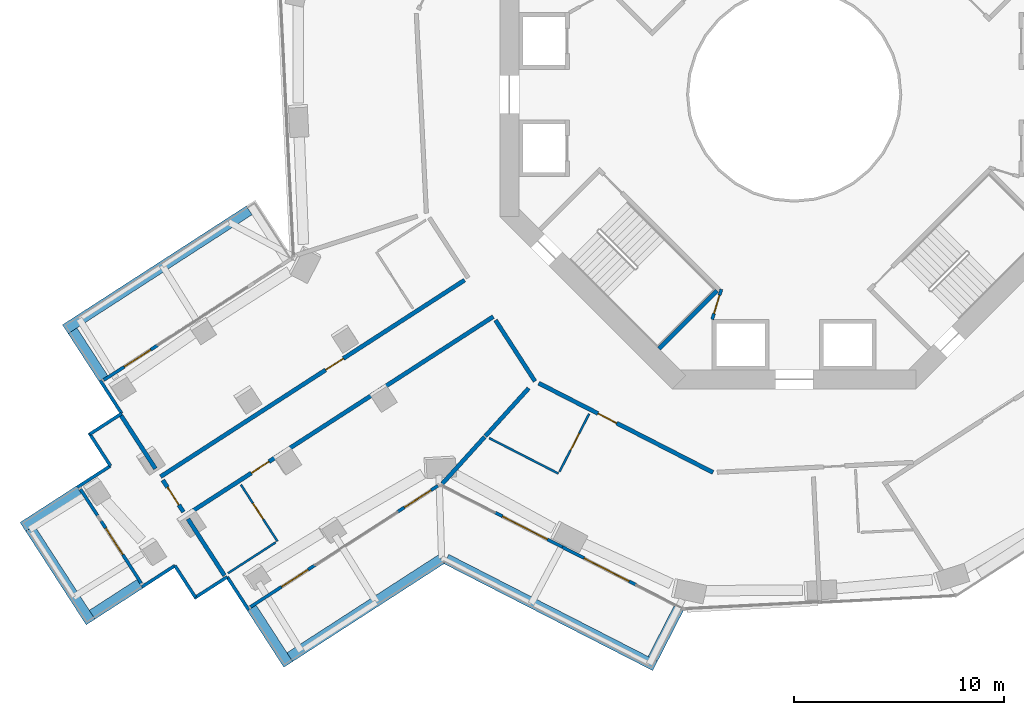
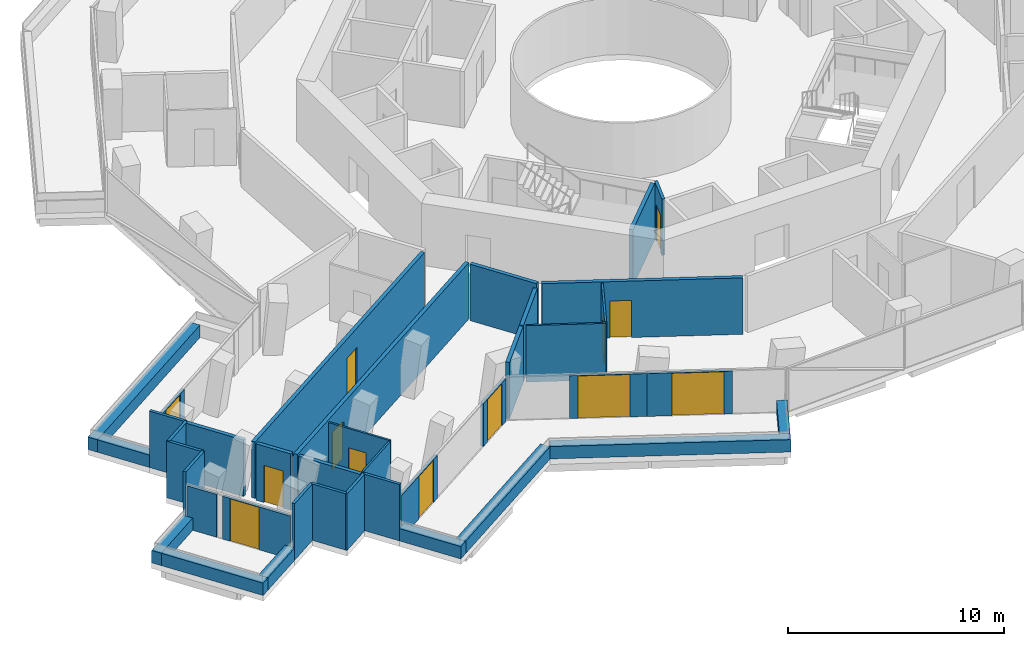
# One storey, part 17 of 25: 39 walls, 13 doors, 13 openings.
"""IFC4 building model written with IfcOpenShell, lengths in metres."""

from ifc_helpers import new_model, si_unit, direction, frame, frame_2d, origin, place, context, subcontext, project, spatial, rectangle, extrude, material, layer, layer_set, type_object, element, fill, save


model = new_model("IFC4")

# Units and contexts
model_context = context("Model", 3, precision=1e-05, world=origin(), true_north=direction((0.0, 1.0)))
body_context = subcontext(model_context, "Body", "Model", "MODEL_VIEW")
ifc_project = project(units=[si_unit("LENGTHUNIT", "METRE"), si_unit("AREAUNIT", "SQUARE_METRE"), si_unit("VOLUMEUNIT", "CUBIC_METRE"), si_unit("PLANEANGLEUNIT", "RADIAN"), si_unit("MASSUNIT", "GRAM", prefix="KILO")], contexts=[model_context])

# Site, building, storey
site_placement = place(None, origin())
site = spatial("IfcSite", under=ifc_project, at=site_placement, CompositionType="ELEMENT")
building_placement = place(site_placement, origin())
building = spatial("IfcBuilding", under=site, at=building_placement, Name="Verdalira Terraces Hotel", CompositionType="ELEMENT")
storey_placement = place(building_placement, frame((0.0, 0.0, 46.0)))
storey = spatial("IfcBuildingStorey", under=building, at=storey_placement, Name="L09", CompositionType="ELEMENT", Elevation=46.0)

# Walls
ifc_material_1 = material(Name="Concrete C40", Category="concrete")
ifc_layer_1 = layer(ifc_material_1, 0.5)
ifc_layer_set_1 = layer_set([ifc_layer_1], Name="Balcony planter trough with tree")
wall_type_1 = type_object("IfcWallType", Name="Balcony planter trough with tree", PredefinedType="SOLIDWALL", material=ifc_layer_set_1)
wall_1_placement = place(storey_placement, frame((-25.922607, -5.504639, 0.0), z_axis=(0.0, 0.0, 1.0), x_axis=(-0.839807058, -0.542884983, 0.0)))
element("IfcWall", 1, at=wall_1_placement, inside=storey, type_object=wall_type_1, Name="Balcony planter", PredefinedType="SOLIDWALL", context=body_context, shape_type="SweptSolid", body=[
    extrude(rectangle(XDim=10.420166, YDim=0.5, at=frame_2d((5.209961, 0.0))), origin(), (0.0, 0.0, 1.0), 0.699951),
])
wall_2_placement = place(storey_placement, frame((-34.327881, -11.23584, 0.0), z_axis=(0.0, 0.0, 1.0), x_axis=(0.542913681, -0.839788506, 0.0)))
element("IfcWall", 2, at=wall_2_placement, inside=storey, type_object=wall_type_1, Name="Balcony planter", PredefinedType="SOLIDWALL", context=body_context, shape_type="SweptSolid", body=[
    extrude(rectangle(XDim=2.698975, YDim=0.5, at=frame_2d((1.349609, 0.0))), origin(), (0.0, 0.0, 1.0), 0.699951),
])
wall_3_placement = place(storey_placement, frame((-34.006104, -18.827148, 0.0), z_axis=(0.0, 0.0, 1.0), x_axis=(-0.839787127, -0.542915814, 0.0)))
element("IfcWall", 3, at=wall_3_placement, inside=storey, type_object=wall_type_1, Name="Balcony planter", PredefinedType="SOLIDWALL", context=body_context, shape_type="SweptSolid", body=[
    extrude(rectangle(XDim=3.198975, YDim=0.5, at=frame_2d((1.599609, 0.0))), origin(), (0.0, 0.0, 1.0), 0.699951),
])
wall_4_placement = place(storey_placement, frame((-36.346924, -20.638184, 0.0), z_axis=(0.0, 0.0, 1.0), x_axis=(0.542876861, -0.839812309, 0.0)))
element("IfcWall", 4, at=wall_4_placement, inside=storey, type_object=wall_type_1, Name="Balcony planter", PredefinedType="SOLIDWALL", context=body_context, shape_type="SweptSolid", body=[
    extrude(rectangle(XDim=5.299805, YDim=0.5, at=frame_2d((2.649902, 0.0))), origin(), (0.0, 0.0, 1.0), 0.699951),
])
wall_5_placement = place(storey_placement, frame((-33.395508, -24.743408, 0.0), z_axis=(0.0, 0.0, 1.0), x_axis=(0.839815165, 0.542872442, 0.0)))
element("IfcWall", 5, at=wall_5_placement, inside=storey, type_object=wall_type_1, Name="Balcony planter", PredefinedType="SOLIDWALL", context=body_context, shape_type="SweptSolid", body=[
    extrude(rectangle(XDim=2.699219, YDim=0.5, at=frame_2d((1.349609, 0.0))), origin(), (0.0, 0.0, 1.0), 0.699951),
])
wall_6_placement = place(storey_placement, frame((-25.803955, -24.421631, 0.0), z_axis=(0.0, 0.0, 1.0), x_axis=(0.542861989, -0.839821922, 0.0)))
element("IfcWall", 6, at=wall_6_placement, inside=storey, type_object=wall_type_1, Name="Balcony planter", PredefinedType="SOLIDWALL", context=body_context, shape_type="SweptSolid", body=[
    extrude(rectangle(XDim=3.198975, YDim=0.5, at=frame_2d((1.599609, 0.0))), origin(), (0.0, 0.0, 1.0), 0.699951),
])
wall_7_placement = place(storey_placement, frame((-23.993164, -26.762451, 0.0), z_axis=(0.0, 0.0, 1.0), x_axis=(0.839818393, 0.542867449, 0.0)))
element("IfcWall", 7, at=wall_7_placement, inside=storey, type_object=wall_type_1, Name="Balcony planter", PredefinedType="SOLIDWALL", context=body_context, shape_type="SweptSolid", body=[
    extrude(rectangle(XDim=8.572754, YDim=0.5, at=frame_2d((4.286377, 0.0))), origin(), (0.0, 0.0, 1.0), 0.699951),
])
wall_8_placement = place(storey_placement, frame((-16.543945, -22.095947, 0.0), z_axis=(0.0, 0.0, 1.0), x_axis=(0.890050731, -0.455861489, 0.0)))
element("IfcWall", 8, at=wall_8_placement, inside=storey, type_object=wall_type_1, Name="Balcony planter", PredefinedType="SOLIDWALL", context=body_context, shape_type="SweptSolid", body=[
    extrude(rectangle(XDim=11.152588, YDim=0.5, at=frame_2d((5.576172, 0.0))), origin(), (0.0, 0.0, 1.0), 0.699951),
])
wall_9_placement = place(storey_placement, frame((-6.726318, -26.843506, 0.0), z_axis=(0.0, 0.0, 1.0), x_axis=(0.45587587, 0.890043365, 0.0)))
element("IfcWall", 9, at=wall_9_placement, inside=storey, type_object=wall_type_1, Name="Balcony planter", PredefinedType="SOLIDWALL", context=body_context, shape_type="SweptSolid", body=[
    extrude(rectangle(XDim=2.699219, YDim=0.5, at=frame_2d((1.349609, 0.0))), origin(), (0.0, 0.0, 1.0), 0.699951),
])
ifc_material_2 = material(Name="Moisture-resistant gypsum board partition")
ifc_layer_2 = layer(ifc_material_2, 0.10009765625)
ifc_layer_set_2 = layer_set([ifc_layer_2], Name="Bathroom partition 100 mm")
wall_type_2 = type_object("IfcWallType", Name="Bathroom partition 100 mm", PredefinedType="PARTITIONING", material=ifc_layer_set_2)
wall_10_placement = place(storey_placement, frame((-24.664795, -21.30249, 0.0), z_axis=(0.0, 0.0, 1.0), x_axis=(-0.839812661, -0.542876316, 0.0)))
element("IfcWall", 10, at=wall_10_placement, inside=storey, type_object=wall_type_2, Name="Bathroom partition", PredefinedType="PARTITIONING", context=body_context, shape_type="SweptSolid", body=[
    extrude(rectangle(XDim=2.700195, YDim=0.100098, at=frame_2d((1.350098, 0.0))), origin(), (0.0, 0.0, 1.0), 3.189941),
])

# Wall, opening, door
wall_11_placement = place(storey_placement, frame((-24.580811, -21.248291, 0.0), z_axis=(0.0, 0.0, 1.0), x_axis=(-0.542884287, 0.839807508, 0.0)))
wall_11 = element("IfcWall", 11, at=wall_11_placement, inside=storey, type_object=wall_type_2, Name="Bathroom partition", PredefinedType="PARTITIONING", context=body_context, shape_type="SweptSolid", body=[
    extrude(rectangle(XDim=3.200195, YDim=0.100098, at=frame_2d((1.600098, 0.0))), origin(), (0.0, 0.0, 1.0), 3.189941),
])
opening_1_placement = place(wall_11_placement, frame((1.25, 0.0, 0.0)))
opening_1 = element("IfcOpeningElement", 12, at=opening_1_placement, cuts=wall_11, Name="Opening L09-116", PredefinedType="OPENING", context=body_context, shape_type="SweptSolid", body=[
    extrude(rectangle(XDim=0.899902, YDim=2.100098, at=frame_2d((0.449951, 1.050049))), frame((0.0, 0.060059, 0.0), z_axis=(0.0, -1.0, 0.0), x_axis=(1.0, 0.0, 0.0)), (0.0, 0.0, 1.0), 0.120117),
])
ifc_material_3 = material(Name="Timber door", Category="wood")
door_type_1 = type_object("IfcDoorType", Name="Bathroom door 900 x 2100", OperationType="NOTDEFINED", PredefinedType="DOOR", material=ifc_material_3)
door_1_placement = place(opening_1_placement, origin())
door_1 = element("IfcDoor", 13, at=door_1_placement, inside=storey, type_object=door_type_1, Name="Bathroom door 0908", OperationType="SINGLE_SWING_LEFT", OverallHeight=2.10009765625, OverallWidth=0.89990234375, PredefinedType="DOOR", context=body_context, shape_type="SweptSolid", body=[
    extrude(rectangle(XDim=0.899902, YDim=2.100098, at=frame_2d((0.449951, 1.050049))), frame((0.0, 0.024902, 0.0), z_axis=(0.0, -1.0, 0.0), x_axis=(1.0, 0.0, 0.0)), (0.0, 0.0, 1.0), 0.050049),
])
fill(opening_1, door_1)

# Wall
wall_12_placement = place(storey_placement, frame((-11.210205, -18.030518, 0.0), z_axis=(0.0, 0.0, 1.0), x_axis=(-0.890047931, 0.455866955, 0.0)))
element("IfcWall", 14, at=wall_12_placement, inside=storey, type_object=wall_type_2, Name="Bathroom partition", PredefinedType="PARTITIONING", context=body_context, shape_type="SweptSolid", body=[
    extrude(rectangle(XDim=3.703857, YDim=0.100098, at=frame_2d((1.852051, 0.0))), origin(), (0.0, 0.0, 1.0), 3.189941),
])

# Wall, opening, door
wall_13_placement = place(storey_placement, frame((-11.164551, -17.941406, 0.0), z_axis=(0.0, 0.0, 1.0), x_axis=(0.455856087, 0.890053497, 0.0)))
wall_13 = element("IfcWall", 15, at=wall_13_placement, inside=storey, type_object=wall_type_2, Name="Bathroom partition", PredefinedType="PARTITIONING", context=body_context, shape_type="SweptSolid", body=[
    extrude(rectangle(XDim=3.099854, YDim=0.100098, at=frame_2d((1.549805, 0.0))), origin(), (0.0, 0.0, 1.0), 3.189941),
])
opening_2_placement = place(wall_13_placement, frame((1.149902, 0.0, 0.0)))
opening_2 = element("IfcOpeningElement", 16, at=opening_2_placement, cuts=wall_13, Name="Opening L09-118", PredefinedType="OPENING", context=body_context, shape_type="SweptSolid", body=[
    extrude(rectangle(XDim=0.899902, YDim=2.100098, at=frame_2d((0.449951, 1.050049))), frame((0.0, 0.060059, 0.0), z_axis=(0.0, -1.0, 0.0), x_axis=(1.0, 0.0, 0.0)), (0.0, 0.0, 1.0), 0.120117),
])
door_2_placement = place(opening_2_placement, origin())
door_2 = element("IfcDoor", 17, at=door_2_placement, inside=storey, type_object=door_type_1, Name="Bathroom door 0909", OperationType="SINGLE_SWING_LEFT", OverallHeight=2.10009765625, OverallWidth=0.89990234375, PredefinedType="DOOR", context=body_context, shape_type="SweptSolid", body=[
    extrude(rectangle(XDim=0.899902, YDim=2.100098, at=frame_2d((0.449951, 1.050049))), frame((0.0, 0.024902, 0.0), z_axis=(0.0, -1.0, 0.0), x_axis=(1.0, 0.0, 0.0)), (0.0, 0.0, 1.0), 0.050049),
])
fill(opening_2, door_2)

# Wall
ifc_material_4 = material(Name="Concrete C50", Category="concrete")
ifc_layer_3 = layer(ifc_material_4, 0.199951171875)
ifc_layer_set_3 = layer_set([ifc_layer_3], Name="Core RC wall 200 C50")
wall_type_3 = type_object("IfcWallType", Name="Core RC wall 200 C50", PredefinedType="SOLIDWALL", material=ifc_layer_set_3)
wall_14_placement = place(storey_placement, frame((-3.677002, -9.33374, 0.0), z_axis=(0.0, 0.0, 1.0), x_axis=(-0.707106781, -0.707106781, 0.0)))
element("IfcWall", 18, at=wall_14_placement, inside=storey, type_object=wall_type_3, Name="L09 stair ST2 end wall 2", PredefinedType="SOLIDWALL", context=body_context, shape_type="SweptSolid", body=[
    extrude(rectangle(XDim=3.900146, YDim=0.199951, at=frame_2d((1.950195, 0.0))), origin(), (0.0, 0.0, 1.0), 3.189941),
])

# Wall, opening, door
ifc_material_5 = material(Name="Gypsum board partition")
ifc_layer_4 = layer(ifc_material_5, 0.14990234375)
ifc_layer_set_4 = layer_set([ifc_layer_4], Name="Core partition 150 mm")
wall_type_4 = type_object("IfcWallType", Name="Core partition 150 mm", PredefinedType="PARTITIONING", material=ifc_layer_set_4)
wall_15_placement = place(storey_placement, frame((-3.464844, -9.263184, 0.0), z_axis=(0.0, 0.0, 1.0), x_axis=(-0.289808785, -0.957084567, 0.0)))
wall_15 = element("IfcWall", 19, at=wall_15_placement, inside=storey, type_object=wall_type_4, Name="Room partition L09", PredefinedType="PARTITIONING", context=body_context, shape_type="SweptSolid", body=[
    extrude(rectangle(XDim=1.501221, YDim=0.149902, at=frame_2d((0.750488, 0.0))), origin(), (0.0, 0.0, 1.0), 3.189941),
])
opening_3_placement = place(wall_15_placement, frame((0.300781, 0.0, 0.0)))
opening_3 = element("IfcOpeningElement", 20, at=opening_3_placement, cuts=wall_15, Name="Opening L09-823", PredefinedType="OPENING", context=body_context, shape_type="SweptSolid", body=[
    extrude(rectangle(XDim=0.899902, YDim=2.100098, at=frame_2d((0.449951, 1.050049))), frame((0.0, 0.084961, 0.0), z_axis=(0.0, -1.0, 0.0), x_axis=(1.0, 0.0, 0.0)), (0.0, 0.0, 1.0), 0.169922),
])
ifc_material_6 = material(Name="Steel fire door", Category="steel")
door_type_2 = type_object("IfcDoorType", Name="Core room door 900 x 2100", OperationType="NOTDEFINED", PredefinedType="DOOR", material=ifc_material_6)
door_3_placement = place(opening_3_placement, origin())
door_3 = element("IfcDoor", 21, at=door_3_placement, inside=storey, type_object=door_type_2, Name="Door L09 room5", OperationType="SINGLE_SWING_LEFT", OverallHeight=2.10009765625, OverallWidth=0.89990234375, PredefinedType="DOOR", context=body_context, shape_type="SweptSolid", body=[
    extrude(rectangle(XDim=0.899902, YDim=2.100098, at=frame_2d((0.449951, 1.050049))), frame((0.0, 0.024902, 0.0), z_axis=(0.0, -1.0, 0.0), x_axis=(1.0, 0.0, 0.0)), (0.0, 0.0, 1.0), 0.050049),
])
fill(opening_3, door_3)

# Walls
ifc_material_7 = material(Name="Fire-rated gypsum board wall")
ifc_layer_5 = layer(ifc_material_7, 0.199951171875)
ifc_layer_set_5 = layer_set([ifc_layer_5], Name="Demising wall 200 mm")
wall_type_5 = type_object("IfcWallType", Name="Demising wall 200 mm", PredefinedType="SOLIDWALL", material=ifc_layer_set_5)
wall_16_placement = place(storey_placement, frame((-32.013428, -15.276611, 0.0), z_axis=(0.0, 0.0, 1.0), x_axis=(0.54288039, -0.839810027, 0.0)))
element("IfcWall", 22, at=wall_16_placement, inside=storey, type_object=wall_type_5, Name="Demising wall", PredefinedType="SOLIDWALL", context=body_context, shape_type="SweptSolid", body=[
    extrude(rectangle(XDim=3.002686, YDim=0.199951, at=frame_2d((1.501465, 0.0))), origin(), (0.0, 0.0, 1.0), 3.189941),
])
wall_17_placement = place(storey_placement, frame((-28.838623, -20.187744, 0.0), z_axis=(0.0, 0.0, 1.0), x_axis=(0.542881592, -0.83980925, 0.0)))
element("IfcWall", 23, at=wall_17_placement, inside=storey, type_object=wall_type_5, Name="Demising wall", PredefinedType="SOLIDWALL", context=body_context, shape_type="SweptSolid", body=[
    extrude(rectangle(XDim=3.204102, YDim=0.199951, at=frame_2d((1.602051, 0.0))), origin(), (0.0, 0.0, 1.0), 3.189941),
])
wall_18_placement = place(storey_placement, frame((-14.723389, -16.283203, 0.0), z_axis=(0.0, 0.0, 1.0), x_axis=(-0.670660655, -0.741764306, 0.0)))
element("IfcWall", 24, at=wall_18_placement, inside=storey, type_object=wall_type_5, Name="Demising wall", PredefinedType="SOLIDWALL", context=body_context, shape_type="SweptSolid", body=[
    extrude(rectangle(XDim=3.01123, YDim=0.199951, at=frame_2d((1.505615, 0.0))), origin(), (0.0, 0.0, 1.0), 3.189941),
])
wall_19_placement = place(storey_placement, frame((-12.630371, -13.968506, 0.0), z_axis=(0.0, 0.0, 1.0), x_axis=(-0.670678334, -0.741748321, 0.0)))
element("IfcWall", 25, at=wall_19_placement, inside=storey, type_object=wall_type_5, Name="Demising wall", PredefinedType="SOLIDWALL", context=body_context, shape_type="SweptSolid", body=[
    extrude(rectangle(XDim=3.074463, YDim=0.199951, at=frame_2d((1.537109, 0.0))), origin(), (0.0, 0.0, 1.0), 3.189941),
])

# Wall, opening, door
ifc_material_8 = material(Name="Fire-rated gypsum board wall")
ifc_layer_6 = layer(ifc_material_8, 0.199951171875)
ifc_layer_set_6 = layer_set([ifc_layer_6], Name="Guest corridor wall 200 mm")
wall_type_6 = type_object("IfcWallType", Name="Guest corridor wall 200 mm", PredefinedType="SOLIDWALL", material=ifc_layer_set_6)
wall_20_placement = place(storey_placement, frame((-29.053711, -19.855225, 0.0), z_axis=(0.0, 0.0, 1.0), x_axis=(-0.54276244, 0.839886262, 0.0)))
wall_20 = element("IfcWall", 26, at=wall_20_placement, inside=storey, type_object=wall_type_6, Name="Guest corridor wall", PredefinedType="SOLIDWALL", context=body_context, shape_type="SweptSolid", body=[
    extrude(rectangle(XDim=1.802002, YDim=0.199951, at=frame_2d((0.900879, 0.0))), origin(), (0.0, 0.0, 1.0), 3.189941),
])
opening_4_placement = place(wall_20_placement, frame((0.399902, 0.0, 0.0)))
opening_4 = element("IfcOpeningElement", 27, at=opening_4_placement, cuts=wall_20, Name="Opening L09-114", PredefinedType="OPENING", context=body_context, shape_type="SweptSolid", body=[
    extrude(rectangle(XDim=1.0, YDim=2.100098, at=frame_2d((0.5, 1.050049))), frame((0.0, 0.109863, 0.0), z_axis=(0.0, -1.0, 0.0), x_axis=(1.0, 0.0, 0.0)), (0.0, 0.0, 1.0), 0.219971),
])
ifc_material_9 = material(Name="Timber door", Category="wood")
door_type_3 = type_object("IfcDoorType", Name="Lounge door 1000 x 2100", OperationType="NOTDEFINED", PredefinedType="DOOR", material=ifc_material_9)
door_4_placement = place(opening_4_placement, origin())
door_4 = element("IfcDoor", 28, at=door_4_placement, inside=storey, type_object=door_type_3, Name="Lounge door 0907", OperationType="SINGLE_SWING_LEFT", OverallHeight=2.10009765625, OverallWidth=1.0, PredefinedType="DOOR", context=body_context, shape_type="SweptSolid", body=[
    extrude(rectangle(XDim=1.0, YDim=2.100098, at=frame_2d((0.5, 1.050049))), frame((0.0, 0.024902, 0.0), z_axis=(0.0, -1.0, 0.0), x_axis=(1.0, 0.0, 0.0)), (0.0, 0.0, 1.0), 0.050049),
])
fill(opening_4, door_4)

wall_21_placement = place(storey_placement, frame((-30.140381, -18.173828, 0.0), z_axis=(0.0, 0.0, 1.0), x_axis=(0.839812753, 0.542876173, 0.0)))
wall_21 = element("IfcWall", 29, at=wall_21_placement, inside=storey, type_object=wall_type_6, Name="Guest corridor wall", PredefinedType="SOLIDWALL", context=body_context, shape_type="SweptSolid", body=[
    extrude(rectangle(XDim=17.220215, YDim=0.199951, at=frame_2d((8.610107, 0.0))), origin(), (0.0, 0.0, 1.0), 3.189941),
])
opening_5_placement = place(wall_21_placement, frame((9.350098, 0.0, 0.0)))
opening_5 = element("IfcOpeningElement", 30, at=opening_5_placement, cuts=wall_21, Name="Opening L09-112", PredefinedType="OPENING", context=body_context, shape_type="SweptSolid", body=[
    extrude(rectangle(XDim=1.0, YDim=2.100098, at=frame_2d((0.5, 1.050049))), frame((0.0, 0.109863, 0.0), z_axis=(0.0, -1.0, 0.0), x_axis=(1.0, 0.0, 0.0)), (0.0, 0.0, 1.0), 0.219971),
])
ifc_material_10 = material(Name="Timber fire door", Category="wood")
door_type_4 = type_object("IfcDoorType", Name="Guest entry door 1000 x 2100", OperationType="NOTDEFINED", PredefinedType="DOOR", material=ifc_material_10)
door_5_placement = place(opening_5_placement, origin())
door_5 = element("IfcDoor", 31, at=door_5_placement, inside=storey, type_object=door_type_4, Name="Guest entry door 0906", OperationType="SINGLE_SWING_LEFT", OverallHeight=2.10009765625, OverallWidth=1.0, PredefinedType="DOOR", context=body_context, shape_type="SweptSolid", body=[
    extrude(rectangle(XDim=1.0, YDim=2.100098, at=frame_2d((0.5, 1.050049))), frame((0.0, 0.024902, 0.0), z_axis=(0.0, -1.0, 0.0), x_axis=(1.0, 0.0, 0.0)), (0.0, 0.0, 1.0), 0.050049),
])
fill(opening_5, door_5)

wall_22_placement = place(storey_placement, frame((-14.316406, -10.564453, 0.0), z_axis=(0.0, 0.0, 1.0), x_axis=(-0.839811096, -0.542878738, 0.0)))
wall_22 = element("IfcWall", 32, at=wall_22_placement, inside=storey, type_object=wall_type_6, Name="Guest corridor wall", PredefinedType="SOLIDWALL", context=body_context, shape_type="SweptSolid", body=[
    extrude(rectangle(XDim=17.420166, YDim=0.199951, at=frame_2d((8.709961, 0.0))), origin(), (0.0, 0.0, 1.0), 3.189941),
])
opening_6_placement = place(wall_22_placement, frame((12.699951, 0.0, 0.0)))
opening_6 = element("IfcOpeningElement", 33, at=opening_6_placement, cuts=wall_22, Name="Opening L09-115", PredefinedType="OPENING", context=body_context, shape_type="SweptSolid", body=[
    extrude(rectangle(XDim=1.0, YDim=2.100098, at=frame_2d((0.5, 1.050049))), frame((0.0, 0.109863, 0.0), z_axis=(0.0, -1.0, 0.0), x_axis=(1.0, 0.0, 0.0)), (0.0, 0.0, 1.0), 0.219971),
])
door_6_placement = place(opening_6_placement, origin())
door_6 = element("IfcDoor", 34, at=door_6_placement, inside=storey, type_object=door_type_4, Name="Guest entry door 0908", OperationType="SINGLE_SWING_LEFT", OverallHeight=2.10009765625, OverallWidth=1.0, PredefinedType="DOOR", context=body_context, shape_type="SweptSolid", body=[
    extrude(rectangle(XDim=1.0, YDim=2.100098, at=frame_2d((0.5, 1.050049))), frame((0.0, 0.024902, 0.0), z_axis=(0.0, -1.0, 0.0), x_axis=(1.0, 0.0, 0.0)), (0.0, 0.0, 1.0), 0.050049),
])
fill(opening_6, door_6)

# Wall
wall_23_placement = place(storey_placement, frame((-14.207764, -10.732422, 0.0), z_axis=(0.0, 0.0, 1.0), x_axis=(0.542882405, -0.839808725, 0.0)))
element("IfcWall", 35, at=wall_23_placement, inside=storey, type_object=wall_type_6, Name="Guest corridor wall", PredefinedType="SOLIDWALL", context=body_context, shape_type="SweptSolid", body=[
    extrude(rectangle(XDim=3.458252, YDim=0.199951, at=frame_2d((1.729004, 0.0))), origin(), (0.0, 0.0, 1.0), 3.189941),
])

# Wall, opening, door
wall_24_placement = place(storey_placement, frame((-3.860596, -17.974609, 0.0), z_axis=(0.0, 0.0, 1.0), x_axis=(-0.890061259, 0.455840931, 0.0)))
wall_24 = element("IfcWall", 36, at=wall_24_placement, inside=storey, type_object=wall_type_6, Name="Guest corridor wall", PredefinedType="SOLIDWALL", context=body_context, shape_type="SweptSolid", body=[
    extrude(rectangle(XDim=9.315918, YDim=0.199951, at=frame_2d((4.657959, 0.0))), origin(), (0.0, 0.0, 1.0), 3.189941),
])
opening_7_placement = place(wall_24_placement, frame((5.149902, 0.0, 0.0)))
opening_7 = element("IfcOpeningElement", 37, at=opening_7_placement, cuts=wall_24, Name="Opening L09-117", PredefinedType="OPENING", context=body_context, shape_type="SweptSolid", body=[
    extrude(rectangle(XDim=1.0, YDim=2.100098, at=frame_2d((0.5, 1.050049))), frame((0.0, 0.109863, 0.0), z_axis=(0.0, -1.0, 0.0), x_axis=(1.0, 0.0, 0.0)), (0.0, 0.0, 1.0), 0.219971),
])
door_7_placement = place(opening_7_placement, origin())
door_7 = element("IfcDoor", 38, at=door_7_placement, inside=storey, type_object=door_type_4, Name="Guest entry door 0909", OperationType="SINGLE_SWING_LEFT", OverallHeight=2.10009765625, OverallWidth=1.0, PredefinedType="DOOR", context=body_context, shape_type="SweptSolid", body=[
    extrude(rectangle(XDim=1.0, YDim=2.100098, at=frame_2d((0.5, 1.050049))), frame((0.0, 0.024902, 0.0), z_axis=(0.0, -1.0, 0.0), x_axis=(1.0, 0.0, 0.0)), (0.0, 0.0, 1.0), 0.050049),
])
fill(opening_7, door_7)

# Walls
ifc_material_11 = material(Name="Terracotta cladding", Category="masonry")
ifc_layer_7 = layer(ifc_material_11, 0.14990234375)
ifc_layer_set_7 = layer_set([ifc_layer_7], Name="Terracotta clad wall 150")
wall_type_7 = type_object("IfcWallType", Name="Terracotta clad wall 150", PredefinedType="SOLIDWALL", material=ifc_layer_set_7)
wall_25_placement = place(storey_placement, frame((-33.009033, -13.598389, 0.0), z_axis=(0.0, 0.0, 1.0), x_axis=(0.542894866, -0.839800669, 0.0)))
element("IfcWall", 39, at=wall_25_placement, inside=storey, type_object=wall_type_7, Name="Terracotta cladding wall", PredefinedType="SOLIDWALL", context=body_context, shape_type="SweptSolid", body=[
    extrude(rectangle(XDim=1.874756, YDim=0.149902, at=frame_2d((0.9375, 0.0))), origin(), (0.0, 0.0, 1.0), 3.189941),
])
wall_26_placement = place(storey_placement, frame((-31.991211, -15.172852, 0.0), z_axis=(0.0, 0.0, 1.0), x_axis=(-0.839752067, -0.542970041, 0.0)))
element("IfcWall", 40, at=wall_26_placement, inside=storey, type_object=wall_type_7, Name="Terracotta cladding wall", PredefinedType="SOLIDWALL", context=body_context, shape_type="SweptSolid", body=[
    extrude(rectangle(XDim=1.799805, YDim=0.149902, at=frame_2d((0.899902, 0.0))), origin(), (0.0, 0.0, 1.0), 3.189941),
])
wall_27_placement = place(storey_placement, frame((-33.543457, -16.087158, 0.0), z_axis=(0.0, 0.0, 1.0), x_axis=(0.5428355, -0.839839044, 0.0)))
element("IfcWall", 41, at=wall_27_placement, inside=storey, type_object=wall_type_7, Name="Terracotta cladding wall", PredefinedType="SOLIDWALL", context=body_context, shape_type="SweptSolid", body=[
    extrude(rectangle(XDim=1.875, YDim=0.149902, at=frame_2d((0.9375, 0.0))), origin(), (0.0, 0.0, 1.0), 3.189941),
])
wall_28_placement = place(storey_placement, frame((-32.525635, -17.661865, 0.0), z_axis=(0.0, 0.0, 1.0), x_axis=(-0.839800669, -0.542894866, 0.0)))
element("IfcWall", 42, at=wall_28_placement, inside=storey, type_object=wall_type_7, Name="Terracotta cladding wall", PredefinedType="SOLIDWALL", context=body_context, shape_type="SweptSolid", body=[
    extrude(rectangle(XDim=1.874756, YDim=0.149902, at=frame_2d((0.9375, 0.0))), origin(), (0.0, 0.0, 1.0), 3.189941),
])
wall_29_placement = place(storey_placement, frame((-31.032959, -23.424561, 0.0), z_axis=(0.0, 0.0, 1.0), x_axis=(0.839839044, 0.5428355, 0.0)))
element("IfcWall", 43, at=wall_29_placement, inside=storey, type_object=wall_type_7, Name="Terracotta cladding wall", PredefinedType="SOLIDWALL", context=body_context, shape_type="SweptSolid", body=[
    extrude(rectangle(XDim=1.875, YDim=0.149902, at=frame_2d((0.9375, 0.0))), origin(), (0.0, 0.0, 1.0), 3.189941),
])
wall_30_placement = place(storey_placement, frame((-29.458252, -22.406738, 0.0), z_axis=(0.0, 0.0, 1.0), x_axis=(0.54281254, -0.839853884, 0.0)))
element("IfcWall", 44, at=wall_30_placement, inside=storey, type_object=wall_type_7, Name="Terracotta cladding wall", PredefinedType="SOLIDWALL", context=body_context, shape_type="SweptSolid", body=[
    extrude(rectangle(XDim=1.800049, YDim=0.149902, at=frame_2d((0.899902, 0.0))), origin(), (0.0, 0.0, 1.0), 3.189941),
])
wall_31_placement = place(storey_placement, frame((-28.544189, -23.958984, 0.0), z_axis=(0.0, 0.0, 1.0), x_axis=(0.839839044, 0.5428355, 0.0)))
element("IfcWall", 45, at=wall_31_placement, inside=storey, type_object=wall_type_7, Name="Terracotta cladding wall", PredefinedType="SOLIDWALL", context=body_context, shape_type="SweptSolid", body=[
    extrude(rectangle(XDim=1.875, YDim=0.149902, at=frame_2d((0.9375, 0.0))), origin(), (0.0, 0.0, 1.0), 3.189941),
])
wall_32_placement = place(storey_placement, frame((-26.969482, -22.941162, 0.0), z_axis=(0.0, 0.0, 1.0), x_axis=(0.54292733, -0.839779682, 0.0)))
element("IfcWall", 46, at=wall_32_placement, inside=storey, type_object=wall_type_7, Name="Terracotta cladding wall", PredefinedType="SOLIDWALL", context=body_context, shape_type="SweptSolid", body=[
    extrude(rectangle(XDim=1.875244, YDim=0.149902, at=frame_2d((0.9375, 0.0))), origin(), (0.0, 0.0, 1.0), 3.189941),
])
ifc_material_12 = material(Name="Terracotta cladding", Category="masonry")
ifc_layer_8 = layer(ifc_material_12, 0.14990234375)
ifc_layer_set_8 = layer_set([ifc_layer_8], Name="Terracotta column pier 150")
wall_type_8 = type_object("IfcWallType", Name="Terracotta column pier 150", PredefinedType="SOLIDWALL", material=ifc_layer_set_8)
wall_33_placement = place(storey_placement, frame((-33.953125, -18.769043, 0.0), z_axis=(0.0, 0.0, 1.0), x_axis=(0.54292733, -0.839779682, 0.0)))
element("IfcWall", 47, at=wall_33_placement, inside=storey, type_object=wall_type_8, Name="Terracotta column pier", PredefinedType="SOLIDWALL", context=body_context, shape_type="SweptSolid", body=[
    extrude(rectangle(XDim=1.5, YDim=0.149902, at=frame_2d((0.75, 0.0))), origin(), (0.0, 0.0, 1.0), 2.425049),
])

# Wall, opening, door
ifc_material_13 = material(Name="Terracotta cladding", Category="masonry")
ifc_layer_9 = layer(ifc_material_13, 0.14990234375)
ifc_layer_set_9 = layer_set([ifc_layer_9], Name="Terracotta door pier 150")
wall_type_9 = type_object("IfcWallType", Name="Terracotta door pier 150", PredefinedType="SOLIDWALL", material=ifc_layer_set_9)
wall_34_placement = place(storey_placement, frame((-30.274902, -11.920166, 0.0), z_axis=(0.0, 0.0, 1.0), x_axis=(-0.839805382, -0.542887577, 0.0)))
wall_34 = element("IfcWall", 48, at=wall_34_placement, inside=storey, type_object=wall_type_9, Name="Terracotta door pier", PredefinedType="SOLIDWALL", context=body_context, shape_type="SweptSolid", body=[
    extrude(rectangle(XDim=3.062012, YDim=0.149902, at=frame_2d((1.531006, 0.0))), origin(), (0.0, 0.0, 1.0), 2.425049),
])
opening_8_placement = place(wall_34_placement, frame((0.399902, 0.0, 0.0)))
opening_8 = element("IfcOpeningElement", 49, at=opening_8_placement, cuts=wall_34, Name="Opening L09-B06", PredefinedType="OPENING", context=body_context, shape_type="SweptSolid", body=[
    extrude(rectangle(XDim=1.5, YDim=2.399902, at=frame_2d((0.75, 1.199951))), frame((0.0, 0.084961, 0.0), z_axis=(0.0, -1.0, 0.0), x_axis=(1.0, 0.0, 0.0)), (0.0, 0.0, 1.0), 0.169922),
])
ifc_material_14 = material(Name="Clear glass", Category="glass")
door_type_5 = type_object("IfcDoorType", Name="Balcony sliding door 1500x2400", OperationType="NOTDEFINED", PredefinedType="DOOR", material=ifc_material_14)
door_8_placement = place(opening_8_placement, origin())
door_8 = element("IfcDoor", 50, at=door_8_placement, inside=storey, type_object=door_type_5, Name="Balcony sliding door", OperationType="SLIDING_TO_RIGHT", OverallHeight=2.39990234375, OverallWidth=1.5, PredefinedType="DOOR", context=body_context, shape_type="SweptSolid", body=[
    extrude(rectangle(XDim=1.5, YDim=2.399902, at=frame_2d((0.75, 1.199951))), frame((0.0, 0.024902, 0.0), z_axis=(0.0, -1.0, 0.0), x_axis=(1.0, 0.0, 0.0)), (0.0, 0.0, 1.0), 0.050049),
])
fill(opening_8, door_8)

wall_35_placement = place(storey_placement, frame((-32.970459, -20.289062, 0.0), z_axis=(0.0, 0.0, 1.0), x_axis=(0.542849741, -0.839829839, 0.0)))
wall_35 = element("IfcWall", 51, at=wall_35_placement, inside=storey, type_object=wall_type_9, Name="Terracotta door pier", PredefinedType="SOLIDWALL", context=body_context, shape_type="SweptSolid", body=[
    extrude(rectangle(XDim=3.530029, YDim=0.149902, at=frame_2d((1.765137, 0.0))), origin(), (0.0, 0.0, 1.0), 2.425049),
])
opening_9_placement = place(wall_35_placement, frame((0.399902, 0.0, 0.0)))
opening_9 = element("IfcOpeningElement", 52, at=opening_9_placement, cuts=wall_35, Name="Opening L09-B07", PredefinedType="OPENING", context=body_context, shape_type="SweptSolid", body=[
    extrude(rectangle(XDim=1.5, YDim=2.399902, at=frame_2d((0.75, 1.199951))), frame((0.0, 0.084961, 0.0), z_axis=(0.0, -1.0, 0.0), x_axis=(1.0, 0.0, 0.0)), (0.0, 0.0, 1.0), 0.169922),
])
door_9_placement = place(opening_9_placement, origin())
door_9 = element("IfcDoor", 53, at=door_9_placement, inside=storey, type_object=door_type_5, Name="Balcony sliding door", OperationType="SLIDING_TO_RIGHT", OverallHeight=2.39990234375, OverallWidth=1.5, PredefinedType="DOOR", context=body_context, shape_type="SweptSolid", body=[
    extrude(rectangle(XDim=1.5, YDim=2.399902, at=frame_2d((0.75, 1.199951))), frame((0.0, 0.024902, 0.0), z_axis=(0.0, -1.0, 0.0), x_axis=(1.0, 0.0, 0.0)), (0.0, 0.0, 1.0), 0.050049),
])
fill(opening_9, door_9)

wall_36_placement = place(storey_placement, frame((-25.870361, -24.374023, 0.0), z_axis=(0.0, 0.0, 1.0), x_axis=(0.839805635, 0.542887185, 0.0)))
wall_36 = element("IfcWall", 54, at=wall_36_placement, inside=storey, type_object=wall_type_9, Name="Terracotta door pier", PredefinedType="SOLIDWALL", context=body_context, shape_type="SweptSolid", body=[
    extrude(rectangle(XDim=3.67041, YDim=0.149902, at=frame_2d((1.835205, 0.0))), origin(), (0.0, 0.0, 1.0), 2.425049),
])
opening_10_placement = place(wall_36_placement, frame((1.770752, 0.0, 0.0)))
opening_10 = element("IfcOpeningElement", 55, at=opening_10_placement, cuts=wall_36, Name="Opening L09-B08", PredefinedType="OPENING", context=body_context, shape_type="SweptSolid", body=[
    extrude(rectangle(XDim=1.5, YDim=2.399902, at=frame_2d((0.75, 1.199951))), frame((0.0, 0.084961, 0.0), z_axis=(0.0, -1.0, 0.0), x_axis=(1.0, 0.0, 0.0)), (0.0, 0.0, 1.0), 0.169922),
])
door_10_placement = place(opening_10_placement, origin())
door_10 = element("IfcDoor", 56, at=door_10_placement, inside=storey, type_object=door_type_5, Name="Balcony sliding door", OperationType="SLIDING_TO_LEFT", OverallHeight=2.39990234375, OverallWidth=1.5, PredefinedType="DOOR", context=body_context, shape_type="SweptSolid", body=[
    extrude(rectangle(XDim=1.5, YDim=2.399902, at=frame_2d((0.75, 1.199951))), frame((0.0, 0.024902, 0.0), z_axis=(0.0, -1.0, 0.0), x_axis=(1.0, 0.0, 0.0)), (0.0, 0.0, 1.0), 0.050049),
])
fill(opening_10, door_10)

wall_37_placement = place(storey_placement, frame((-18.874756, -19.851807, 0.0), z_axis=(0.0, 0.0, 1.0), x_axis=(0.839837754, 0.542837496, 0.0)))
wall_37 = element("IfcWall", 57, at=wall_37_placement, inside=storey, type_object=wall_type_9, Name="Terracotta door pier", PredefinedType="SOLIDWALL", context=body_context, shape_type="SweptSolid", body=[
    extrude(rectangle(XDim=2.300049, YDim=0.149902, at=frame_2d((1.149902, 0.0))), origin(), (0.0, 0.0, 1.0), 2.425049),
])
opening_11_placement = place(wall_37_placement, frame((0.399902, 0.0, 0.0)))
opening_11 = element("IfcOpeningElement", 58, at=opening_11_placement, cuts=wall_37, Name="Opening L09-B09", PredefinedType="OPENING", context=body_context, shape_type="SweptSolid", body=[
    extrude(rectangle(XDim=1.5, YDim=2.399902, at=frame_2d((0.75, 1.199951))), frame((0.0, 0.084961, 0.0), z_axis=(0.0, -1.0, 0.0), x_axis=(1.0, 0.0, 0.0)), (0.0, 0.0, 1.0), 0.169922),
])
door_11_placement = place(opening_11_placement, origin())
door_11 = element("IfcDoor", 59, at=door_11_placement, inside=storey, type_object=door_type_5, Name="Balcony sliding door", OperationType="SLIDING_TO_RIGHT", OverallHeight=2.39990234375, OverallWidth=1.5, PredefinedType="DOOR", context=body_context, shape_type="SweptSolid", body=[
    extrude(rectangle(XDim=1.5, YDim=2.399902, at=frame_2d((0.75, 1.199951))), frame((0.0, 0.024902, 0.0), z_axis=(0.0, -1.0, 0.0), x_axis=(1.0, 0.0, 0.0)), (0.0, 0.0, 1.0), 0.050049),
])
fill(opening_11, door_11)

wall_38_placement = place(storey_placement, frame((-14.228271, -19.883301, 0.0), z_axis=(0.0, 0.0, 1.0), x_axis=(0.890044707, -0.455873249, 0.0)))
wall_38 = element("IfcWall", 60, at=wall_38_placement, inside=storey, type_object=wall_type_9, Name="Terracotta door pier", PredefinedType="SOLIDWALL", context=body_context, shape_type="SweptSolid", body=[
    extrude(rectangle(XDim=3.599854, YDim=0.149902, at=frame_2d((1.799805, 0.0))), origin(), (0.0, 0.0, 1.0), 2.425049),
])
opening_12_placement = place(wall_38_placement, frame((0.399902, 0.0, 0.0)))
opening_12 = element("IfcOpeningElement", 61, at=opening_12_placement, cuts=wall_38, Name="Opening L09-B10", PredefinedType="OPENING", context=body_context, shape_type="SweptSolid", body=[
    extrude(rectangle(XDim=2.399902, YDim=2.399902, at=frame_2d((1.199951, 1.199951))), frame((0.0, 0.084961, 0.0), z_axis=(0.0, -1.0, 0.0), x_axis=(1.0, 0.0, 0.0)), (0.0, 0.0, 1.0), 0.169922),
])
ifc_material_15 = material(Name="Clear glass", Category="glass")
door_type_6 = type_object("IfcDoorType", Name="Balcony sliding door 2400x2400", OperationType="NOTDEFINED", PredefinedType="DOOR", material=ifc_material_15)
door_12_placement = place(opening_12_placement, origin())
door_12 = element("IfcDoor", 62, at=door_12_placement, inside=storey, type_object=door_type_6, Name="Balcony sliding door", OperationType="SLIDING_TO_RIGHT", OverallHeight=2.39990234375, OverallWidth=2.39990234375, PredefinedType="DOOR", context=body_context, shape_type="SweptSolid", body=[
    extrude(rectangle(XDim=2.399902, YDim=2.399902, at=frame_2d((1.199951, 1.199951))), frame((0.0, 0.024902, 0.0), z_axis=(0.0, -1.0, 0.0), x_axis=(1.0, 0.0, 0.0)), (0.0, 0.0, 1.0), 0.050049),
])
fill(opening_12, door_12)

wall_39_placement = place(storey_placement, frame((-11.02417, -21.524414, 0.0), z_axis=(0.0, 0.0, 1.0), x_axis=(0.890058005, -0.455847285, 0.0)))
wall_39 = element("IfcWall", 63, at=wall_39_placement, inside=storey, type_object=wall_type_9, Name="Terracotta door pier", PredefinedType="SOLIDWALL", context=body_context, shape_type="SweptSolid", body=[
    extrude(rectangle(XDim=3.960693, YDim=0.149902, at=frame_2d((1.980469, 0.0))), origin(), (0.0, 0.0, 1.0), 2.425049),
])
opening_13_placement = place(wall_39_placement, frame((1.1604, 0.0, 0.0)))
opening_13 = element("IfcOpeningElement", 64, at=opening_13_placement, cuts=wall_39, Name="Opening L09-B11", PredefinedType="OPENING", context=body_context, shape_type="SweptSolid", body=[
    extrude(rectangle(XDim=2.399902, YDim=2.399902, at=frame_2d((1.199951, 1.199951))), frame((0.0, 0.084961, 0.0), z_axis=(0.0, -1.0, 0.0), x_axis=(1.0, 0.0, 0.0)), (0.0, 0.0, 1.0), 0.169922),
])
door_13_placement = place(opening_13_placement, origin())
door_13 = element("IfcDoor", 65, at=door_13_placement, inside=storey, type_object=door_type_6, Name="Balcony sliding door", OperationType="SLIDING_TO_LEFT", OverallHeight=2.39990234375, OverallWidth=2.39990234375, PredefinedType="DOOR", context=body_context, shape_type="SweptSolid", body=[
    extrude(rectangle(XDim=2.399902, YDim=2.399902, at=frame_2d((1.199951, 1.199951))), frame((0.0, 0.024902, 0.0), z_axis=(0.0, -1.0, 0.0), x_axis=(1.0, 0.0, 0.0)), (0.0, 0.0, 1.0), 0.050049),
])
fill(opening_13, door_13)

save(model, "model.ifc")
